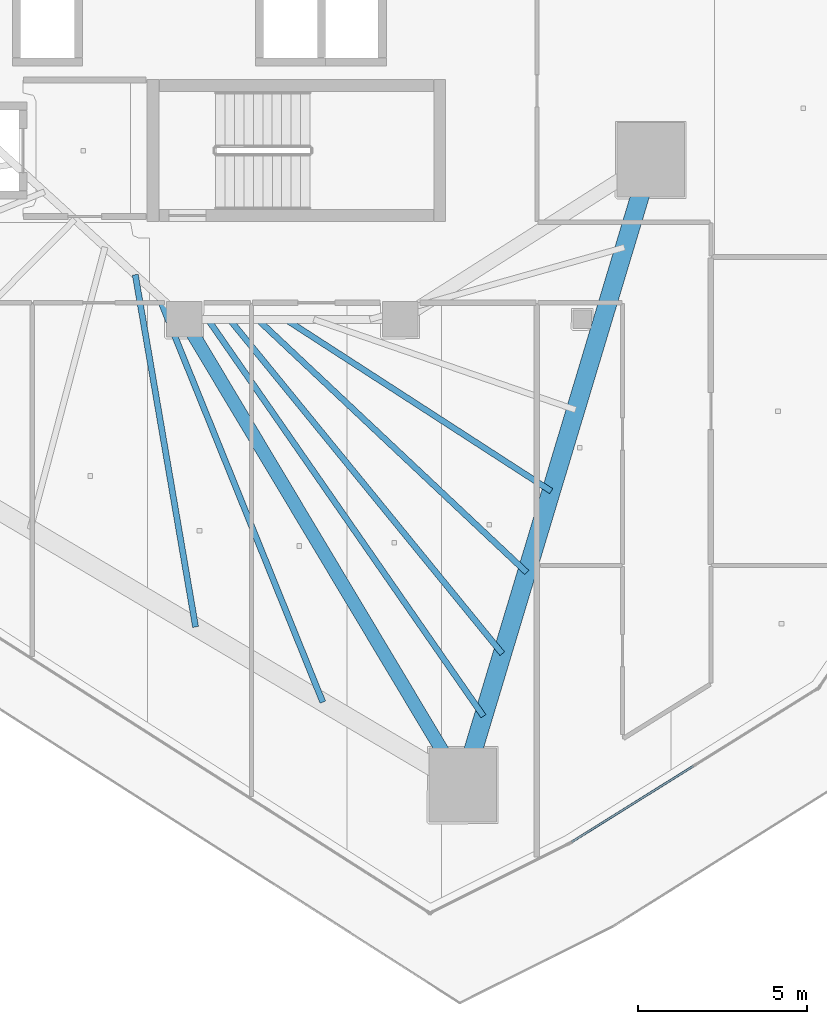
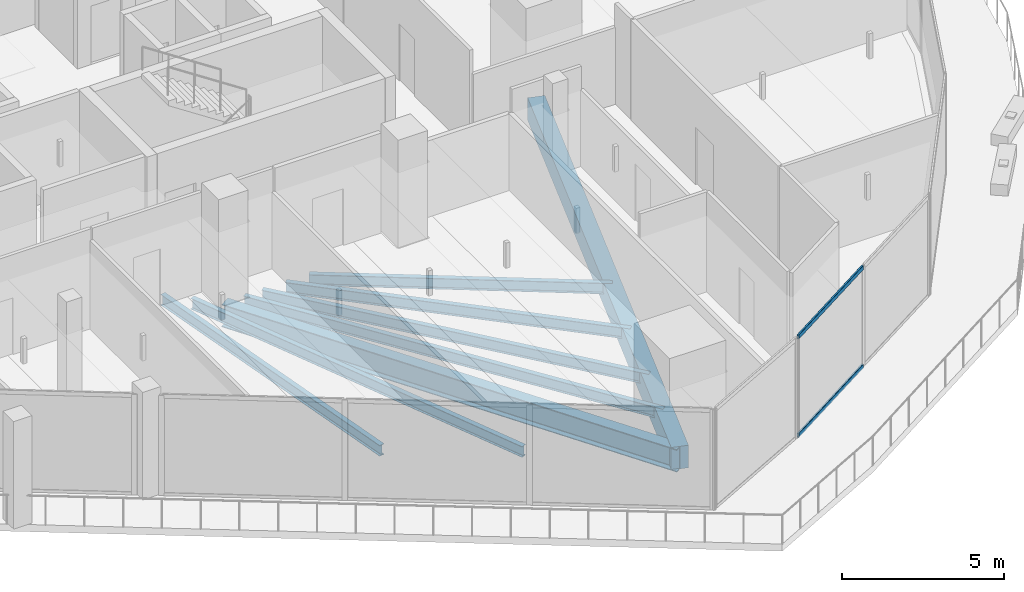
# One storey, part 8 of 35: 8 beams, 2 members, 1 element without a shape of its own.
"""IFC4 building model written with IfcOpenShell, lengths in metres."""

import ifcopenshell
import ifcopenshell.guid

model = None  # the IFC model being written
_history = None  # IfcOwnerHistory: only IFC2X3 demands one
_inside = {}  # id of a spatial element -> (the spatial element, [elements in it])
_under = {}  # id of a project, library or spatial element -> (it, [spatial elements below it])
_declared = {}  # id of a project -> (the project, [libraries it declares])
_typed = {}  # id of a type object -> (the type object, [elements of that type])
_made_of = {}  # id of a material, layer set ... -> (it, [elements and type objects made of it])


def new_model(schema):
    """Start an empty IFC model of exactly this schema.

    Asked for "IFC4X3", IfcOpenShell would pick the latest addendum, in which some entities
    have other attributes; the version numbers below select the first issue.
    IFC2X3 requires an IfcOwnerHistory on every rooted entity: one is made here for all.
    """
    global model, _history
    if schema == "IFC4X3":
        model = ifcopenshell.file(schema_version=(4, 3, 0, 0))
    else:
        model = ifcopenshell.file(schema=schema)
    _inside.clear()
    _under.clear()
    _declared.clear()
    _typed.clear()
    _made_of.clear()
    _history = None
    if model.schema == "IFC2X3":
        org = make("IfcOrganization", Name="unknown")
        user = make(
            "IfcPersonAndOrganization",
            ThePerson=make("IfcPerson", FamilyName="unknown"),
            TheOrganization=org,
        )
        app = make(
            "IfcApplication",
            ApplicationDeveloper=org,
            Version="unknown",
            ApplicationFullName="unknown",
            ApplicationIdentifier="unknown",
        )
        _history = make(
            "IfcOwnerHistory",
            OwningUser=user,
            OwningApplication=app,
            ChangeAction="ADDED",
            CreationDate=0,
        )
    return model


def make(cls, **values):
    """One entity of the class cls with the attributes given. An attribute that is None is left unset."""
    return model.create_entity(
        cls, **{name: value for name, value in values.items() if value is not None}
    )


def rooted(cls, **values):
    """An entity with a GlobalId (a new one), such as an element, a storey or a relation."""
    return make(cls, GlobalId=ifcopenshell.guid.new(), OwnerHistory=_history, **values)


def si_unit(unit_type, name, prefix=None):
    """IfcSIUnit, for example si_unit("LENGTHUNIT", "METRE", prefix="MILLI")."""
    return make("IfcSIUnit", UnitType=unit_type, Prefix=prefix, Name=name)


def assignment(units):
    """IfcUnitAssignment: the units of a project."""
    return None if units is None else make("IfcUnitAssignment", Units=units)


def point(xyz):
    """IfcCartesianPoint."""
    return None if xyz is None else make("IfcCartesianPoint", Coordinates=xyz)


def direction(xyz):
    """IfcDirection."""
    return None if xyz is None else make("IfcDirection", DirectionRatios=xyz)


def frame(location, z_axis=None, x_axis=None):
    """IfcAxis2Placement3D, a coordinate frame: its origin and axes. An axis left out is left unset."""
    return make(
        "IfcAxis2Placement3D",
        Location=point(location),
        Axis=direction(z_axis),
        RefDirection=direction(x_axis),
    )


def frame_2d(location, x_axis=None):
    """IfcAxis2Placement2D, a coordinate frame in the plane: its origin and x axis."""
    return make(
        "IfcAxis2Placement2D", Location=point(location), RefDirection=direction(x_axis)
    )


def origin():
    """The frame at (0, 0, 0) with its axes left unset."""
    return frame((0.0, 0.0, 0.0))


def origin_2d():
    """The frame at (0, 0) in the plane with its x axis left unset."""
    return frame_2d((0.0, 0.0))


def place(relative_to, where):
    """IfcLocalPlacement: puts the frame where relative to a parent placement (None: the world)."""
    return make(
        "IfcLocalPlacement", PlacementRelTo=relative_to, RelativePlacement=where
    )


def context(
    kind, dimensions, precision=None, world=None, true_north=None, identifier=None
):
    """IfcGeometricRepresentationContext, for example the 3D "Model" context."""
    return make(
        "IfcGeometricRepresentationContext",
        ContextIdentifier=identifier,
        ContextType=kind,
        CoordinateSpaceDimension=dimensions,
        Precision=precision,
        WorldCoordinateSystem=world,
        TrueNorth=true_north,
    )


def subcontext(parent, identifier, kind, view, scale=None):
    """IfcGeometricRepresentationSubContext, for example "Body" below "Model"."""
    return make(
        "IfcGeometricRepresentationSubContext",
        ContextIdentifier=identifier,
        ContextType=kind,
        ParentContext=parent,
        TargetScale=scale,
        TargetView=view,
    )


def project(units=None, contexts=None):
    """IfcProject with its units and contexts."""
    return rooted(
        "IfcProject",
        Name="project",
        RepresentationContexts=contexts,
        UnitsInContext=assignment(units),
    )


def spatial(cls, under=None, at=None, **own):
    """A site, building, storey or space (cls), placed at a placement, below another one or the project."""
    s = rooted(cls, ObjectPlacement=at, **own)
    if under is not None:
        _under.setdefault(under.id(), (under, []))[1].append(s)
    return s


def profile(cls, at=None, kind="AREA", **sizes):
    """A parametric profile (cls). Its sizes go by their IFC names, for example OverallWidth=200.0."""
    return make(cls, ProfileType=kind, Position=at, **sizes)


def rectangle(**sizes):
    """IfcRectangleProfileDef."""
    return profile("IfcRectangleProfileDef", **sizes)


def hollow_rectangle(**sizes):
    """IfcRectangleHollowProfileDef."""
    return profile("IfcRectangleHollowProfileDef", **sizes)


def i_section(**sizes):
    """IfcIShapeProfileDef."""
    return profile("IfcIShapeProfileDef", **sizes)


def extrude(swept, where, along, depth):
    """IfcExtrudedAreaSolid: the profile swept, set in the frame where, extruded along a direction by depth."""
    return make(
        "IfcExtrudedAreaSolid",
        SweptArea=swept,
        Position=where,
        ExtrudedDirection=direction(along),
        Depth=depth,
    )


def shape(context_of_items, identifier, shape_type, items):
    """IfcShapeRepresentation: the items that make up one representation, for example the "Body"."""
    return make(
        "IfcShapeRepresentation",
        ContextOfItems=context_of_items,
        RepresentationIdentifier=identifier,
        RepresentationType=shape_type,
        Items=items,
    )


def material(Name=None, Category=None):
    """IfcMaterial."""
    return make("IfcMaterial", Name=Name, Category=Category)


def layer(
    of_material, thickness, ventilated=None, Name=None, Category=None, Priority=None
):
    """IfcMaterialLayer: one layer of a wall or slab, of a material (None: an air gap)."""
    return make(
        "IfcMaterialLayer",
        Material=of_material,
        LayerThickness=thickness,
        IsVentilated=ventilated,
        Name=Name,
        Category=Category,
        Priority=Priority,
    )


def layer_set(layers, Name=None):
    """IfcMaterialLayerSet."""
    return make("IfcMaterialLayerSet", MaterialLayers=layers, LayerSetName=Name)


def material_profile(
    of_material, cross_section, Name=None, Category=None, Priority=None
):
    """IfcMaterialProfile: a cross section and its material."""
    return make(
        "IfcMaterialProfile",
        Name=Name,
        Material=of_material,
        Profile=cross_section,
        Priority=Priority,
        Category=Category,
    )


def profile_set(profiles, Name=None, composite=None):
    """IfcMaterialProfileSet."""
    return make(
        "IfcMaterialProfileSet",
        Name=Name,
        MaterialProfiles=profiles,
        CompositeProfile=composite,
    )


def made_of(thing, what):
    """Note that an element or type object is made of a material, layer set ...; save() writes the relation."""
    if what is not None:
        _made_of.setdefault(what.id(), (what, []))[1].append(thing)
    return thing


def type_object(cls, material=None, **own):
    """A type object (cls), such as IfcWallType, which elements share."""
    return made_of(rooted(cls, **own), material)


def element(
    cls,
    number,
    at=None,
    inside=None,
    cuts=None,
    type_object=None,
    material=None,
    context=None,
    identifier="Body",
    shape_type=None,
    held_by="IfcProductDefinitionShape",
    body=None,
    shapes=None,
    **own,
):
    """One element of the class cls, such as IfcWall. Its Tag is "e" and its number.

    at: its placement. inside: the storey or other place that contains it. cuts: it is an
    opening in that element (IfcRelVoidsElement). A single representation is given by context,
    identifier, shape_type and body (its items); several are given by shapes. held_by: the class
    of the entity that holds the representations. save() writes the other relations.
    """
    e = rooted(cls, Tag="e%d" % number, ObjectPlacement=at, **own)
    if body is not None:
        shapes = [shape(context, identifier, shape_type, body)]
    if shapes is not None:
        e.Representation = make(held_by, Representations=shapes)
    if inside is not None:
        _inside.setdefault(inside.id(), (inside, []))[1].append(e)
    if cuts is not None:
        rooted(
            "IfcRelVoidsElement", RelatingBuildingElement=cuts, RelatedOpeningElement=e
        )
    if type_object is not None:
        _typed.setdefault(type_object.id(), (type_object, []))[1].append(e)
    return made_of(e, material)


def aggregate(whole, parts):
    """IfcRelAggregates: a whole, such as a stair, and the parts it consists of."""
    return rooted("IfcRelAggregates", RelatingObject=whole, RelatedObjects=parts)


def save(model, path):
    """Write the relations noted so far, then the file.

    IfcRelAggregates (storeys below a building ...), IfcRelContainedInSpatialStructure (elements
    in a storey), IfcRelDefinesByType, IfcRelAssociatesMaterial and IfcRelDeclares: one each for
    every whole, place, type object, material and project.
    """
    for whole, parts in _under.values():
        aggregate(whole, parts)
    for where, things in _inside.values():
        rooted(
            "IfcRelContainedInSpatialStructure",
            RelatedElements=things,
            RelatingStructure=where,
        )
    for kind, things in _typed.values():
        rooted("IfcRelDefinesByType", RelatedObjects=things, RelatingType=kind)
    for what, things in _made_of.values():
        rooted("IfcRelAssociatesMaterial", RelatedObjects=things, RelatingMaterial=what)
    for by, libraries in _declared.values():
        rooted("IfcRelDeclares", RelatingContext=by, RelatedDefinitions=libraries)
    model.write(path)


model = new_model("IFC4")

# Units and contexts
model_context = context("Model", 3, precision=1e-05, world=origin(), true_north=direction((0.0, 1.0)))
body_context = subcontext(model_context, "Body", "Model", "MODEL_VIEW")
ifc_project = project(units=[si_unit("LENGTHUNIT", "METRE"), si_unit("AREAUNIT", "SQUARE_METRE"), si_unit("VOLUMEUNIT", "CUBIC_METRE"), si_unit("PLANEANGLEUNIT", "RADIAN"), si_unit("MASSUNIT", "GRAM", prefix="KILO")], contexts=[model_context])

# Site, building, storey
site_placement = place(None, origin())
site = spatial("IfcSite", under=ifc_project, at=site_placement, CompositionType="ELEMENT")
building_placement = place(site_placement, origin())
building = spatial("IfcBuilding", under=site, at=building_placement, Name="Qorvath Tower", CompositionType="ELEMENT")
storey_placement = place(building_placement, frame((0.0, 0.0, 166.5)))
storey = spatial("IfcBuildingStorey", under=building, at=storey_placement, Name="L38", CompositionType="ELEMENT", Elevation=166.5)

# Beams
ifc_material_1 = material(Name="Steel ASTM A992 Grade 50", Category="steel")
ifc_material_profile_1 = material_profile(ifc_material_1, i_section(OverallWidth=0.39892578125, OverallDepth=0.85498046875, WebThickness=0.018310546875, FlangeThickness=0.029296875, FilletRadius=0.02001953125, at=origin_2d()), Name="W33x201")
ifc_profile_set_1 = profile_set([ifc_material_profile_1], Name="Steel ASTM A992 Grade 50")
beam_type_1 = type_object("IfcBeamType", Name="BM-FG2", PredefinedType="BEAM", material=ifc_profile_set_1)
beam_1_placement = place(storey_placement, frame((-23.60009765625, -11.449951171875, -0.697509765625), z_axis=(0.513497213955, -0.85809126045, 0.0), x_axis=(0.85809126045, 0.513497213955, 0.0)))
element("IfcBeam", 1, at=beam_1_placement, inside=storey, type_object=beam_type_1, Name="Radial Floor Girder CC4-MC3 L38", PredefinedType="BEAM", context=body_context, shape_type="SweptSolid", body=[
    extrude(i_section(OverallWidth=0.39892578125, OverallDepth=0.85498046875, WebThickness=0.018310546875, FlangeThickness=0.029296875, FilletRadius=0.02001953125, at=origin_2d()), origin(), (0.0, 0.0, 1.0), 16.07763671875),
])
ifc_material_2 = material(Name="Steel ASTM A992 Grade 50", Category="steel")
ifc_material_profile_2 = material_profile(ifc_material_2, i_section(OverallWidth=0.177978515625, OverallDepth=0.406005859375, WebThickness=0.0078125, FlangeThickness=0.0126953125, FilletRadius=0.010986328125, at=origin_2d()), Name="W16x40")
ifc_profile_set_2 = profile_set([ifc_material_profile_2], Name="Steel ASTM A992 Grade 50")
beam_type_2 = type_object("IfcBeamType", Name="BM-FJ3", PredefinedType="JOIST", material=ifc_profile_set_2)
beam_2_placement = place(storey_placement, frame((-20.592041015625, -11.449951171875, -0.472900390625), z_axis=(0.839630966809, -0.543157288062, 0.0), x_axis=(0.543157288062, 0.839630966809, 0.0)))
element("IfcBeam", 2, at=beam_2_placement, inside=storey, type_object=beam_type_2, Name="Composite Floor Joist SE4 L38", PredefinedType="JOIST", context=body_context, shape_type="SweptSolid", body=[
    extrude(i_section(OverallWidth=0.177978515625, OverallDepth=0.406005859375, WebThickness=0.0078125, FlangeThickness=0.0126953125, FilletRadius=0.010986328125, at=origin_2d()), origin(), (0.0, 0.0, 1.0), 9.370361328125),
])
beam_3_placement = place(storey_placement, frame((-21.424072265625, -11.449951171875, -0.472900390625), z_axis=(0.728572459091, -0.684968737866, 0.0), x_axis=(0.684968737866, 0.728572459091, 0.0)))
element("IfcBeam", 3, at=beam_3_placement, inside=storey, type_object=beam_type_2, Name="Composite Floor Joist SE5 L38", PredefinedType="JOIST", context=body_context, shape_type="SweptSolid", body=[
    extrude(i_section(OverallWidth=0.177978515625, OverallDepth=0.406005859375, WebThickness=0.0078125, FlangeThickness=0.0126953125, FilletRadius=0.010986328125, at=origin_2d()), origin(), (0.0, 0.0, 1.0), 10.9462890625),
])
beam_4_placement = place(storey_placement, frame((-22.256103515625, -11.449951171875, -0.472900390625), z_axis=(0.632187975212, -0.774815051478, 0.0), x_axis=(0.774815051478, 0.632187975212, 0.0)))
element("IfcBeam", 4, at=beam_4_placement, inside=storey, type_object=beam_type_2, Name="Composite Floor Joist SE6 L38", PredefinedType="JOIST", context=body_context, shape_type="SweptSolid", body=[
    extrude(i_section(OverallWidth=0.177978515625, OverallDepth=0.406005859375, WebThickness=0.0078125, FlangeThickness=0.0126953125, FilletRadius=0.010986328125, at=origin_2d()), origin(), (0.0, 0.0, 1.0), 12.784912109375),
])
beam_5_placement = place(storey_placement, frame((-22.89599609375, -11.449951171875, -0.472900390625), z_axis=(0.570366725248, -0.821390162304, 0.0), x_axis=(0.821390162304, 0.570366725248, 0.0)))
element("IfcBeam", 5, at=beam_5_placement, inside=storey, type_object=beam_type_2, Name="Composite Floor Joist SE7 L38", PredefinedType="JOIST", context=body_context, shape_type="SweptSolid", body=[
    extrude(i_section(OverallWidth=0.177978515625, OverallDepth=0.406005859375, WebThickness=0.0078125, FlangeThickness=0.0126953125, FilletRadius=0.010986328125, at=origin_2d()), origin(), (0.0, 0.0, 1.0), 14.3154296875),
])
beam_6_placement = place(storey_placement, frame((-25.049072265625, -10.126953125, -0.472900390625), z_axis=(0.168745594245, -0.985659639238, 0.0), x_axis=(0.985659639238, 0.168745594245, 0.0)))
element("IfcBeam", 6, at=beam_6_placement, inside=storey, type_object=beam_type_2, Name="Composite Floor Joist SW6 L38", PredefinedType="JOIST", context=body_context, shape_type="SweptSolid", body=[
    extrude(i_section(OverallWidth=0.177978515625, OverallDepth=0.406005859375, WebThickness=0.0078125, FlangeThickness=0.0126953125, FilletRadius=0.010986328125, at=origin_2d()), origin(), (0.0, 0.0, 1.0), 10.589111328125),
])
beam_7_placement = place(storey_placement, frame((-24.35888671875, -10.757080078125, -0.472900390625), z_axis=(0.37487652097, -0.927074751045, 0.0), x_axis=(0.927074751045, 0.37487652097, 0.0)))
element("IfcBeam", 7, at=beam_7_placement, inside=storey, type_object=beam_type_2, Name="Composite Floor Joist SW7 L38", PredefinedType="JOIST", context=body_context, shape_type="SweptSolid", body=[
    extrude(i_section(OverallWidth=0.177978515625, OverallDepth=0.406005859375, WebThickness=0.0078125, FlangeThickness=0.0126953125, FilletRadius=0.010986328125, at=origin_2d()), origin(), (0.0, 0.0, 1.0), 12.9833984375),
])
ifc_material_3 = material(Name="Concrete C50/60", Category="concrete")
ifc_material_profile_3 = material_profile(ifc_material_3, rectangle(XDim=0.550048828125, YDim=0.85009765625, at=origin_2d()), Name="RCB 850x550")
ifc_profile_set_3 = profile_set([ifc_material_profile_3], Name="Concrete C50/60")
beam_type_3 = type_object("IfcBeamType", Name="BM-RCB2", PredefinedType="SPANDREL", material=ifc_profile_set_3)
beam_8_placement = place(storey_placement, frame((-15.34423828125, -25.24609375, -0.695068359375), z_axis=(0.288133952099, 0.957590113591, 0.0), x_axis=(-0.957590113591, 0.288133952099, 0.0)))
element("IfcBeam", 8, at=beam_8_placement, inside=storey, type_object=beam_type_3, Name="Perimeter Loggia Frame Beam MC3-MC4 L38", PredefinedType="SPANDREL", context=body_context, shape_type="SweptSolid", body=[
    extrude(rectangle(XDim=0.550048828125, YDim=0.85009765625, at=origin_2d()), origin(), (0.0, 0.0, 1.0), 19.344970703125),
])

# Curtain wall, members
ifc_material_4 = material(Name="Anodised aluminium and triple low-E glass", Category="aluminium")
ifc_layer = layer(ifc_material_4, 0.179931640625)
ifc_layer_set = layer_set([ifc_layer], Name="CW-SYS-3")
curtain_wall_type = type_object("IfcCurtainWallType", Name="CW-SYS-3", PredefinedType="NOTDEFINED", material=ifc_layer_set)
curtain_wall_placement = place(storey_placement, origin())
curtain_wall = element("IfcCurtainWall", 9, at=curtain_wall_placement, inside=storey, type_object=curtain_wall_type, Name="Curtain Wall CW-3 CW-T-L38-4.1", PredefinedType="NOTDEFINED")
ifc_material_5 = material(Name="Anodised aluminium 6063-T6", Category="aluminium")
ifc_material_profile_4 = material_profile(ifc_material_5, hollow_rectangle(XDim=0.06494140625, YDim=0.159912109375, WallThickness=0.00341796875, InnerFilletRadius=0.00341796875, OuterFilletRadius=0.007080078125, at=origin_2d()), Name="CWT 160x65")
ifc_profile_set_4 = profile_set([ifc_material_profile_4], Name="Anodised aluminium 6063-T6")
member_type = type_object("IfcMemberType", Name="CWT-160", PredefinedType="USERDEFINED", material=ifc_profile_set_4)
member_1_placement = place(storey_placement, frame((-12.114501953125, -26.934814453125, 0.032470703125), z_axis=(0.848424411171, 0.529316557959, 0.0), x_axis=(-0.529316557959, 0.848424411171, 0.0)))
member_1 = element("IfcMember", 10, at=member_1_placement, type_object=member_type, Name="CW-3 transom 1.1", ObjectType="TRANSOM", PredefinedType="USERDEFINED", context=body_context, shape_type="SweptSolid", body=[
    extrude(hollow_rectangle(XDim=0.06494140625, YDim=0.159912109375, WallThickness=0.00341796875, InnerFilletRadius=0.00341796875, OuterFilletRadius=0.007080078125, at=origin_2d()), origin(), (0.0, 0.0, 1.0), 4.24609375),
])
member_2_placement = place(storey_placement, frame((-12.114501953125, -26.934814453125, 3.74755859375), z_axis=(0.848424411171, 0.529316557959, 0.0), x_axis=(-0.529316557959, 0.848424411171, 0.0)))
member_2 = element("IfcMember", 11, at=member_2_placement, type_object=member_type, Name="CW-3 transom 1.2", ObjectType="TRANSOM", PredefinedType="USERDEFINED", context=body_context, shape_type="SweptSolid", body=[
    extrude(hollow_rectangle(XDim=0.06494140625, YDim=0.159912109375, WallThickness=0.00341796875, InnerFilletRadius=0.00341796875, OuterFilletRadius=0.007080078125, at=origin_2d()), origin(), (0.0, 0.0, 1.0), 4.24609375),
])
aggregate(curtain_wall, [member_1, member_2])

save(model, "model.ifc")
